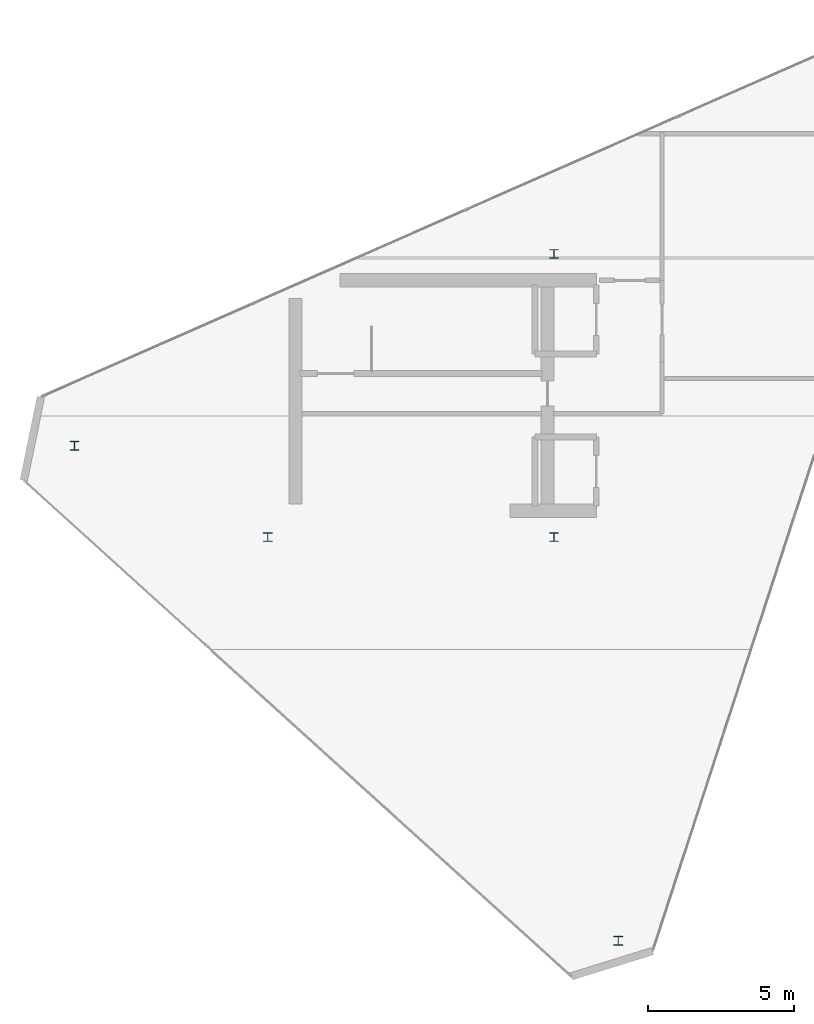
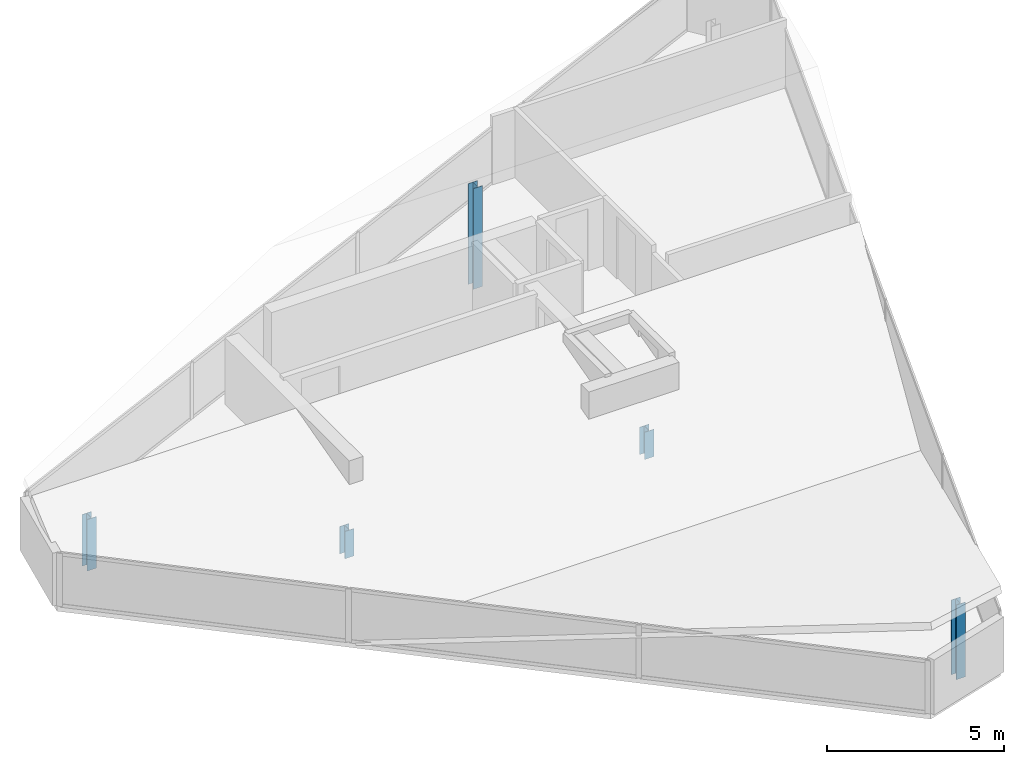
# One storey, part 1 of 13: 5 columns.
"""IFC4 building model written with IfcOpenShell, lengths in metres."""

import ifcopenshell
import ifcopenshell.guid

model = None  # the IFC model being written
_history = None  # IfcOwnerHistory: only IFC2X3 demands one
_inside = {}  # id of a spatial element -> (the spatial element, [elements in it])
_under = {}  # id of a project, library or spatial element -> (it, [spatial elements below it])
_declared = {}  # id of a project -> (the project, [libraries it declares])
_typed = {}  # id of a type object -> (the type object, [elements of that type])
_made_of = {}  # id of a material, layer set ... -> (it, [elements and type objects made of it])


def new_model(schema):
    """Start an empty IFC model of exactly this schema.

    Asked for "IFC4X3", IfcOpenShell would pick the latest addendum, in which some entities
    have other attributes; the version numbers below select the first issue.
    IFC2X3 requires an IfcOwnerHistory on every rooted entity: one is made here for all.
    """
    global model, _history
    if schema == "IFC4X3":
        model = ifcopenshell.file(schema_version=(4, 3, 0, 0))
    else:
        model = ifcopenshell.file(schema=schema)
    _inside.clear()
    _under.clear()
    _declared.clear()
    _typed.clear()
    _made_of.clear()
    _history = None
    if model.schema == "IFC2X3":
        org = make("IfcOrganization", Name="unknown")
        user = make(
            "IfcPersonAndOrganization",
            ThePerson=make("IfcPerson", FamilyName="unknown"),
            TheOrganization=org,
        )
        app = make(
            "IfcApplication",
            ApplicationDeveloper=org,
            Version="unknown",
            ApplicationFullName="unknown",
            ApplicationIdentifier="unknown",
        )
        _history = make(
            "IfcOwnerHistory",
            OwningUser=user,
            OwningApplication=app,
            ChangeAction="ADDED",
            CreationDate=0,
        )
    return model


def make(cls, **values):
    """One entity of the class cls with the attributes given. An attribute that is None is left unset."""
    return model.create_entity(
        cls, **{name: value for name, value in values.items() if value is not None}
    )


def rooted(cls, **values):
    """An entity with a GlobalId (a new one), such as an element, a storey or a relation."""
    return make(cls, GlobalId=ifcopenshell.guid.new(), OwnerHistory=_history, **values)


def si_unit(unit_type, name, prefix=None):
    """IfcSIUnit, for example si_unit("LENGTHUNIT", "METRE", prefix="MILLI")."""
    return make("IfcSIUnit", UnitType=unit_type, Prefix=prefix, Name=name)


def assignment(units):
    """IfcUnitAssignment: the units of a project."""
    return None if units is None else make("IfcUnitAssignment", Units=units)


def point(xyz):
    """IfcCartesianPoint."""
    return None if xyz is None else make("IfcCartesianPoint", Coordinates=xyz)


def direction(xyz):
    """IfcDirection."""
    return None if xyz is None else make("IfcDirection", DirectionRatios=xyz)


def frame(location, z_axis=None, x_axis=None):
    """IfcAxis2Placement3D, a coordinate frame: its origin and axes. An axis left out is left unset."""
    return make(
        "IfcAxis2Placement3D",
        Location=point(location),
        Axis=direction(z_axis),
        RefDirection=direction(x_axis),
    )


def frame_2d(location, x_axis=None):
    """IfcAxis2Placement2D, a coordinate frame in the plane: its origin and x axis."""
    return make(
        "IfcAxis2Placement2D", Location=point(location), RefDirection=direction(x_axis)
    )


def origin():
    """The frame at (0, 0, 0) with its axes left unset."""
    return frame((0.0, 0.0, 0.0))


def origin_2d():
    """The frame at (0, 0) in the plane with its x axis left unset."""
    return frame_2d((0.0, 0.0))


def place(relative_to, where):
    """IfcLocalPlacement: puts the frame where relative to a parent placement (None: the world)."""
    return make(
        "IfcLocalPlacement", PlacementRelTo=relative_to, RelativePlacement=where
    )


def context(
    kind, dimensions, precision=None, world=None, true_north=None, identifier=None
):
    """IfcGeometricRepresentationContext, for example the 3D "Model" context."""
    return make(
        "IfcGeometricRepresentationContext",
        ContextIdentifier=identifier,
        ContextType=kind,
        CoordinateSpaceDimension=dimensions,
        Precision=precision,
        WorldCoordinateSystem=world,
        TrueNorth=true_north,
    )


def subcontext(parent, identifier, kind, view, scale=None):
    """IfcGeometricRepresentationSubContext, for example "Body" below "Model"."""
    return make(
        "IfcGeometricRepresentationSubContext",
        ContextIdentifier=identifier,
        ContextType=kind,
        ParentContext=parent,
        TargetScale=scale,
        TargetView=view,
    )


def project(units=None, contexts=None):
    """IfcProject with its units and contexts."""
    return rooted(
        "IfcProject",
        Name="project",
        RepresentationContexts=contexts,
        UnitsInContext=assignment(units),
    )


def spatial(cls, under=None, at=None, **own):
    """A site, building, storey or space (cls), placed at a placement, below another one or the project."""
    s = rooted(cls, ObjectPlacement=at, **own)
    if under is not None:
        _under.setdefault(under.id(), (under, []))[1].append(s)
    return s


def profile(cls, at=None, kind="AREA", **sizes):
    """A parametric profile (cls). Its sizes go by their IFC names, for example OverallWidth=200.0."""
    return make(cls, ProfileType=kind, Position=at, **sizes)


def i_section(**sizes):
    """IfcIShapeProfileDef."""
    return profile("IfcIShapeProfileDef", **sizes)


def extrude(swept, where, along, depth):
    """IfcExtrudedAreaSolid: the profile swept, set in the frame where, extruded along a direction by depth."""
    return make(
        "IfcExtrudedAreaSolid",
        SweptArea=swept,
        Position=where,
        ExtrudedDirection=direction(along),
        Depth=depth,
    )


def shape(context_of_items, identifier, shape_type, items):
    """IfcShapeRepresentation: the items that make up one representation, for example the "Body"."""
    return make(
        "IfcShapeRepresentation",
        ContextOfItems=context_of_items,
        RepresentationIdentifier=identifier,
        RepresentationType=shape_type,
        Items=items,
    )


def material(Name=None, Category=None):
    """IfcMaterial."""
    return make("IfcMaterial", Name=Name, Category=Category)


def material_profile(
    of_material, cross_section, Name=None, Category=None, Priority=None
):
    """IfcMaterialProfile: a cross section and its material."""
    return make(
        "IfcMaterialProfile",
        Name=Name,
        Material=of_material,
        Profile=cross_section,
        Priority=Priority,
        Category=Category,
    )


def profile_set(profiles, Name=None, composite=None):
    """IfcMaterialProfileSet."""
    return make(
        "IfcMaterialProfileSet",
        Name=Name,
        MaterialProfiles=profiles,
        CompositeProfile=composite,
    )


def made_of(thing, what):
    """Note that an element or type object is made of a material, layer set ...; save() writes the relation."""
    if what is not None:
        _made_of.setdefault(what.id(), (what, []))[1].append(thing)
    return thing


def type_object(cls, material=None, **own):
    """A type object (cls), such as IfcWallType, which elements share."""
    return made_of(rooted(cls, **own), material)


def element(
    cls,
    number,
    at=None,
    inside=None,
    cuts=None,
    type_object=None,
    material=None,
    context=None,
    identifier="Body",
    shape_type=None,
    held_by="IfcProductDefinitionShape",
    body=None,
    shapes=None,
    **own,
):
    """One element of the class cls, such as IfcWall. Its Tag is "e" and its number.

    at: its placement. inside: the storey or other place that contains it. cuts: it is an
    opening in that element (IfcRelVoidsElement). A single representation is given by context,
    identifier, shape_type and body (its items); several are given by shapes. held_by: the class
    of the entity that holds the representations. save() writes the other relations.
    """
    e = rooted(cls, Tag="e%d" % number, ObjectPlacement=at, **own)
    if body is not None:
        shapes = [shape(context, identifier, shape_type, body)]
    if shapes is not None:
        e.Representation = make(held_by, Representations=shapes)
    if inside is not None:
        _inside.setdefault(inside.id(), (inside, []))[1].append(e)
    if cuts is not None:
        rooted(
            "IfcRelVoidsElement", RelatingBuildingElement=cuts, RelatedOpeningElement=e
        )
    if type_object is not None:
        _typed.setdefault(type_object.id(), (type_object, []))[1].append(e)
    return made_of(e, material)


def aggregate(whole, parts):
    """IfcRelAggregates: a whole, such as a stair, and the parts it consists of."""
    return rooted("IfcRelAggregates", RelatingObject=whole, RelatedObjects=parts)


def save(model, path):
    """Write the relations noted so far, then the file.

    IfcRelAggregates (storeys below a building ...), IfcRelContainedInSpatialStructure (elements
    in a storey), IfcRelDefinesByType, IfcRelAssociatesMaterial and IfcRelDeclares: one each for
    every whole, place, type object, material and project.
    """
    for whole, parts in _under.values():
        aggregate(whole, parts)
    for where, things in _inside.values():
        rooted(
            "IfcRelContainedInSpatialStructure",
            RelatedElements=things,
            RelatingStructure=where,
        )
    for kind, things in _typed.values():
        rooted("IfcRelDefinesByType", RelatedObjects=things, RelatingType=kind)
    for what, things in _made_of.values():
        rooted("IfcRelAssociatesMaterial", RelatedObjects=things, RelatingMaterial=what)
    for by, libraries in _declared.values():
        rooted("IfcRelDeclares", RelatingContext=by, RelatedDefinitions=libraries)
    model.write(path)


model = new_model("IFC4")

# Units and contexts
model_context = context("Model", 3, precision=1e-05, world=origin(), true_north=direction((0.0, 1.0)))
body_context = subcontext(model_context, "Body", "Model", "MODEL_VIEW")
ifc_project = project(units=[si_unit("LENGTHUNIT", "METRE"), si_unit("AREAUNIT", "SQUARE_METRE"), si_unit("VOLUMEUNIT", "CUBIC_METRE"), si_unit("PLANEANGLEUNIT", "RADIAN"), si_unit("MASSUNIT", "GRAM", prefix="KILO")], contexts=[model_context])

# Site, building, storey
site_placement = place(None, origin())
site = spatial("IfcSite", under=ifc_project, at=site_placement, CompositionType="ELEMENT")
building_placement = place(site_placement, origin())
building = spatial("IfcBuilding", under=site, at=building_placement, Name="Qianvela Tower", CompositionType="ELEMENT")
storey_placement = place(building_placement, frame((0.0, 0.0, 375.050048828125)))
storey = spatial("IfcBuildingStorey", under=building, at=storey_placement, Name="L97", CompositionType="ELEMENT", Elevation=375.050048828125)

# Columns
ifc_material = material(Name="Steel Q355B", Category="steel")
ifc_material_profile = material_profile(ifc_material, i_section(OverallWidth=0.300048828125, OverallDepth=0.300048828125, WebThickness=0.010009765625, FlangeThickness=0.014892578125, at=origin_2d()), Name="HW300x300x10x15")
ifc_profile_set = profile_set([ifc_material_profile], Name="Steel Q355B")
column_type = type_object("IfcColumnType", Name="COL-HW-300", PredefinedType="COLUMN", material=ifc_profile_set)
column_1_placement = place(storey_placement, frame((28.60009765625, 23.85009765625, 0.0), z_axis=(0.0, 0.0, 1.0), x_axis=(1.0, 0.0, 0.0)))
element("IfcColumn", 1, at=column_1_placement, inside=storey, type_object=column_type, Name="L97 Core Corner Mega-Column CC-SW", PredefinedType="COLUMN", context=body_context, shape_type="SweptSolid", body=[
    extrude(i_section(OverallWidth=0.300048828125, OverallDepth=0.300048828125, WebThickness=0.010009765625, FlangeThickness=0.014892578125, at=origin_2d()), origin(), (0.0, 0.0, 1.0), 0.941650390625),
])
column_2_placement = place(storey_placement, frame((38.39990234375, 33.550048828125, 0.0), z_axis=(0.0, 0.0, 1.0), x_axis=(1.0, 0.0, 0.0)))
element("IfcColumn", 2, at=column_2_placement, inside=storey, type_object=column_type, Name="L97 Core Corner Mega-Column CC-NE", PredefinedType="COLUMN", context=body_context, shape_type="SweptSolid", body=[
    extrude(i_section(OverallWidth=0.300048828125, OverallDepth=0.300048828125, WebThickness=0.010009765625, FlangeThickness=0.014892578125, at=origin_2d()), origin(), (0.0, 0.0, 1.0), 3.479248046875),
])
column_3_placement = place(storey_placement, frame((38.39990234375, 23.85009765625, 0.0), z_axis=(0.0, 0.0, 1.0), x_axis=(1.0, 0.0, 0.0)))
element("IfcColumn", 3, at=column_3_placement, inside=storey, type_object=column_type, Name="L97 Core Corner Mega-Column CC-SE", PredefinedType="COLUMN", context=body_context, shape_type="SweptSolid", body=[
    extrude(i_section(OverallWidth=0.300048828125, OverallDepth=0.300048828125, WebThickness=0.010009765625, FlangeThickness=0.014892578125, at=origin_2d()), origin(), (0.0, 0.0, 1.0), 0.941650390625),
])
column_4_placement = place(storey_placement, frame((40.60400390625, 10.027099609375, 0.0), z_axis=(0.0, 0.0, 1.0), x_axis=(1.0, 0.0, 0.0)))
element("IfcColumn", 4, at=column_4_placement, inside=storey, type_object=column_type, Name="L97 Crown Frame Column CR2", PredefinedType="COLUMN", context=body_context, shape_type="SweptSolid", body=[
    extrude(i_section(OverallWidth=0.300048828125, OverallDepth=0.300048828125, WebThickness=0.010009765625, FlangeThickness=0.014892578125, at=origin_2d()), origin(), (0.0, 0.0, 1.0), 2.582275390625),
])
column_5_placement = place(storey_placement, frame((21.98095703125, 26.97607421875, 0.0), z_axis=(0.0, 0.0, 1.0), x_axis=(1.0, 0.0, 0.0)))
element("IfcColumn", 5, at=column_5_placement, inside=storey, type_object=column_type, Name="L97 Crown Frame Column CR3", PredefinedType="COLUMN", context=body_context, shape_type="SweptSolid", body=[
    extrude(i_section(OverallWidth=0.300048828125, OverallDepth=0.300048828125, WebThickness=0.010009765625, FlangeThickness=0.014892578125, at=origin_2d()), origin(), (0.0, 0.0, 1.0), 1.779052734375),
])

save(model, "model.ifc")
